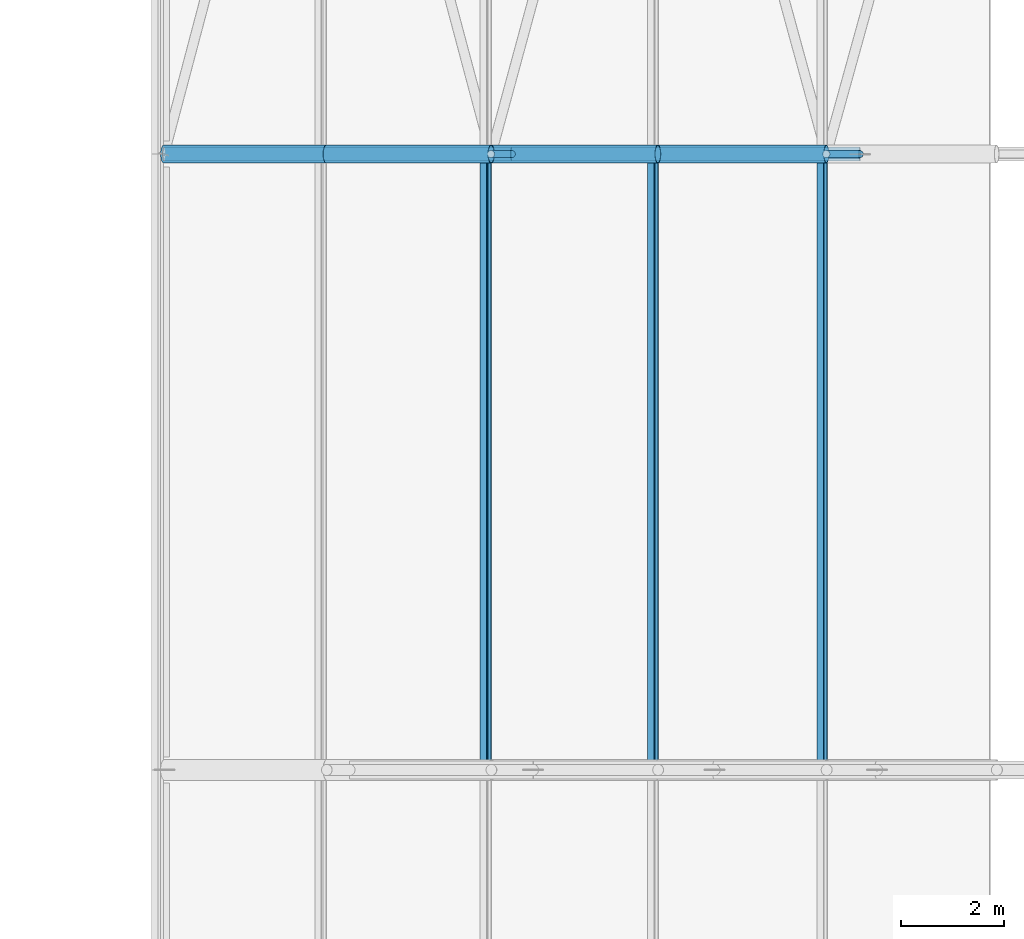
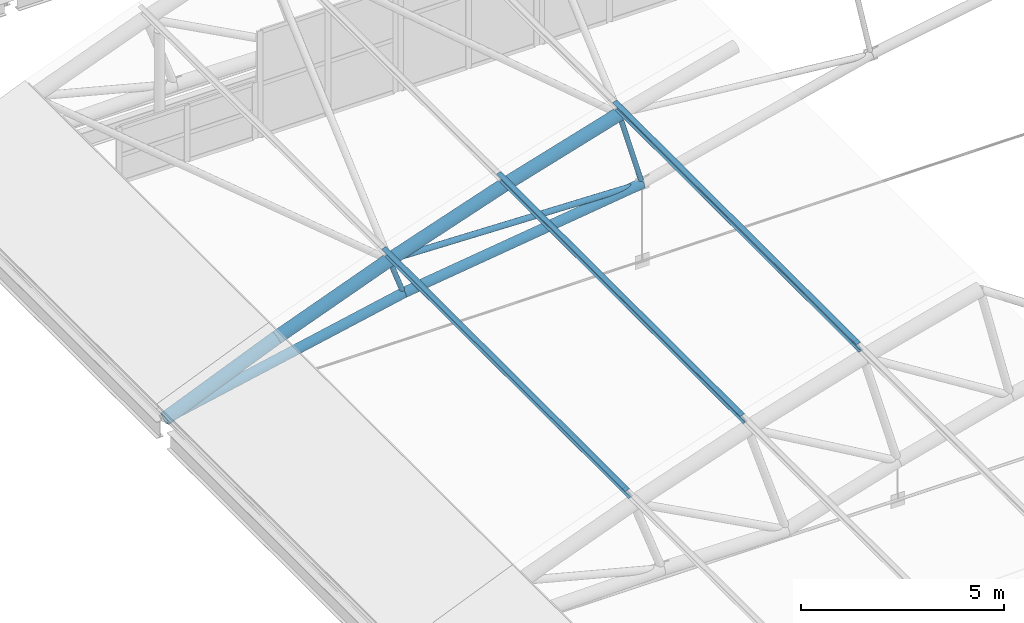
# One storey, part 163 of 321: 12 members.
"""IFC4 building model written with IfcOpenShell, lengths in metres."""

from ifc_helpers import new_model, si_unit, direction, frame, origin, origin_2d, place, context, subcontext, project, spatial, hollow_circle, i_section, extrude, material, material_profile, profile_set, type_object, element, save


model = new_model("IFC4")

# Units and contexts
model_context = context("Model", 3, precision=1e-05, world=origin(), true_north=direction((0.0, 1.0)))
body_context = subcontext(model_context, "Body", "Model", "MODEL_VIEW")
ifc_project = project(units=[si_unit("LENGTHUNIT", "METRE"), si_unit("AREAUNIT", "SQUARE_METRE"), si_unit("VOLUMEUNIT", "CUBIC_METRE"), si_unit("PLANEANGLEUNIT", "RADIAN"), si_unit("MASSUNIT", "GRAM", prefix="KILO")], contexts=[model_context])

# Site, building, storey
site_placement = place(None, origin())
site = spatial("IfcSite", under=ifc_project, at=site_placement, CompositionType="ELEMENT")
building_placement = place(site_placement, origin())
building = spatial("IfcBuilding", under=site, at=building_placement, Name="Ravi Spectrum Wholesale Market", CompositionType="ELEMENT")
storey_placement = place(building_placement, frame((0.0, 0.0, 10.800048828125)))
storey = spatial("IfcBuildingStorey", under=building, at=storey_placement, Name="L02", CompositionType="ELEMENT", Elevation=10.800048828125)

# Members
ifc_material_1 = material(Name="Steel S355", Category="steel")
ifc_material_profile_1 = material_profile(ifc_material_1, hollow_circle(Radius=0.06982421875, WallThickness=0.0048828125, at=origin_2d()))
ifc_profile_set_1 = profile_set([ifc_material_profile_1], Name="Steel S355")
member_type_1 = type_object("IfcMemberType", Name="CHS 139.7x5 post", PredefinedType="POST", material=ifc_profile_set_1)
member_1_placement = place(storey_placement, frame((36.363037109375, 186.0, 2.56494140625), z_axis=(0.338114270461, 0.0, -0.941105063269), x_axis=(0.0, 1.0, 0.0)))
element("IfcMember", 1, at=member_1_placement, inside=storey, type_object=member_type_1, Name="H1-MB-L02-1108", PredefinedType="POST", context=body_context, shape_type="SweptSolid", body=[
    extrude(hollow_circle(Radius=0.06982421875, WallThickness=0.0048828125, at=origin_2d()), origin(), (0.0, 0.0, 1.0), 1.199951171875),
])
member_2_placement = place(storey_placement, frame((42.896240234375, 186.0, 4.661376953125), z_axis=(0.272503703517, 0.0, -0.962154733694), x_axis=(0.0, 1.0, 0.0)))
element("IfcMember", 2, at=member_2_placement, inside=storey, type_object=member_type_1, Name="H1-MB-L02-1109", PredefinedType="POST", context=body_context, shape_type="SweptSolid", body=[
    extrude(hollow_circle(Radius=0.06982421875, WallThickness=0.0048828125, at=origin_2d()), origin(), (0.0, 0.0, 1.0), 2.400146484375),
])
ifc_material_2 = material(Name="Steel S355", Category="steel")
ifc_material_profile_2 = material_profile(ifc_material_2, hollow_circle(Radius=0.084228515625, WallThickness=0.00634765625, at=origin_2d()))
ifc_profile_set_2 = profile_set([ifc_material_profile_2], Name="Steel S355")
member_type_2 = type_object("IfcMemberType", Name="CHS 168.3x6.3 brace", PredefinedType="BRACE", material=ifc_profile_set_2)
member_3_placement = place(storey_placement, frame((36.363037109375, 186.0, 2.56494140625), z_axis=(0.999561599338, 0.0, -0.029607585673), x_axis=(0.0, 1.0, 0.0)))
element("IfcMember", 3, at=member_3_placement, inside=storey, type_object=member_type_2, Name="H1-MB-L02-1119", PredefinedType="BRACE", context=body_context, shape_type="SweptSolid", body=[
    extrude(hollow_circle(Radius=0.084228515625, WallThickness=0.00634765625, at=origin_2d()), origin(), (0.0, 0.0, 1.0), 7.1904296875),
])
ifc_material_3 = material(Name="Steel S355", Category="steel")
ifc_material_profile_3 = material_profile(ifc_material_3, hollow_circle(Radius=0.136474609375, WallThickness=0.010009765625, at=origin_2d()))
ifc_profile_set_3 = profile_set([ifc_material_profile_3], Name="Steel S355")
member_type_3 = type_object("IfcMemberType", Name="CHS 273x10 chord", PredefinedType="CHORD", material=ifc_profile_set_3)
member_4_placement = place(storey_placement, frame((29.98974609375, 186.0, 0.023193359375), z_axis=(0.978978953118, 0.0, 0.203961293758), x_axis=(0.0, 1.0, 0.0)))
element("IfcMember", 4, at=member_4_placement, inside=storey, type_object=member_type_3, Name="H1-MB-L02-1096", PredefinedType="CHORD", context=body_context, shape_type="SweptSolid", body=[
    extrude(hollow_circle(Radius=0.136474609375, WallThickness=0.010009765625, at=origin_2d()), origin(), (0.0, 0.0, 1.0), 6.924560546875),
])
member_5_placement = place(storey_placement, frame((36.768798828125, 186.0, 1.435546875), z_axis=(0.990990766788, 0.0, 0.133930206233), x_axis=(0.0, 1.0, 0.0)))
element("IfcMember", 5, at=member_5_placement, inside=storey, type_object=member_type_3, Name="H1-MB-L02-1097", PredefinedType="CHORD", context=body_context, shape_type="SweptSolid", body=[
    extrude(hollow_circle(Radius=0.136474609375, WallThickness=0.010009765625, at=origin_2d()), origin(), (0.0, 0.0, 1.0), 6.84326171875),
])
ifc_material_4 = material(Name="Steel S355", Category="steel")
ifc_material_profile_4 = material_profile(ifc_material_4, hollow_circle(Radius=0.177734375, WallThickness=0.012451171875, at=origin_2d()))
ifc_profile_set_4 = profile_set([ifc_material_profile_4], Name="Steel S355")
member_type_4 = type_object("IfcMemberType", Name="CHS 355.6x12.5 chord", PredefinedType="CHORD", material=ifc_profile_set_4)
member_6_placement = place(storey_placement, frame((29.98974609375, 186.0, 0.023193359375), z_axis=(0.922323660423, 0.0, 0.386418251929), x_axis=(0.0, 1.0, 0.0)))
element("IfcMember", 6, at=member_6_placement, inside=storey, type_object=member_type_4, Name="H1-MB-L02-1072", PredefinedType="CHORD", context=body_context, shape_type="SweptSolid", body=[
    extrude(hollow_circle(Radius=0.177734375, WallThickness=0.012451171875, at=origin_2d()), origin(), (0.0, 0.0, 1.0), 3.431396484375),
])
for number, where, z_axis, x_axis, name in (
    (7, (33.154541015625, 186.0, 1.34912109375), (0.935113010382, 0.0, 0.354349626518), (0.0, 1.0, 0.0), "H1-MB-L02-1073"),
    (8, (36.363037109375, 186.0, 2.56494140625), (0.946773612235, 0.0, 0.321900182005), (0.0, 1.0, 0.0), "H1-MB-L02-1074"),
    (9, (39.611572265625, 186.0, 3.66943359375), (0.957299848506, 0.0, 0.289096869666), (0.0, 1.0, 0.0), "H1-MB-L02-1075"),
):
    element("IfcMember", number, at=place(storey_placement, frame(where, z_axis=z_axis, x_axis=x_axis)), inside=storey, type_object=member_type_4, Name=name, PredefinedType="CHORD", context=body_context, shape_type="SweptSolid", body=[
        extrude(hollow_circle(Radius=0.177734375, WallThickness=0.012451171875, at=origin_2d()), origin(), (0.0, 0.0, 1.0), 3.43115234375),
    ])
ifc_material_5 = material(Name="Steel S355", Category="steel")
ifc_material_profile_5 = material_profile(ifc_material_5, i_section(OverallWidth=0.135009765625, OverallDepth=0.27001953125, WebThickness=0.006591796875, FlangeThickness=0.01025390625, at=origin_2d()))
ifc_profile_set_5 = profile_set([ifc_material_profile_5], Name="Steel S355")
member_type_5 = type_object("IfcMemberType", Name="IPE 270 purlin", PredefinedType="PURLIN", material=ifc_profile_set_5)
for number, where, z_axis, x_axis, name in (
    (10, (36.25732421875, 174.0, 2.859375), (0.0, 1.0, 0.0), (-0.941079849597, 0.0, -0.338184441811), "H1-MB-L02-1536"),
    (11, (39.515869140625, 174.0, 3.96728515625), (0.0, 1.0, 0.0), (-0.952184497174, 0.0, -0.305523621577), "H1-MB-L02-1537"),
    (12, (42.81103515625, 174.0, 4.962158203125), (0.0, 1.0, 0.0), (-0.96215600485, 0.0, -0.272499215286), "H1-MB-L02-1538"),
):
    element("IfcMember", number, at=place(storey_placement, frame(where, z_axis=z_axis, x_axis=x_axis)), inside=storey, type_object=member_type_5, Name=name, PredefinedType="PURLIN", context=body_context, shape_type="SweptSolid", body=[
        extrude(i_section(OverallWidth=0.135009765625, OverallDepth=0.27001953125, WebThickness=0.006591796875, FlangeThickness=0.01025390625, at=origin_2d()), origin(), (0.0, 0.0, 1.0), 12.0),
    ])

save(model, "model.ifc")
